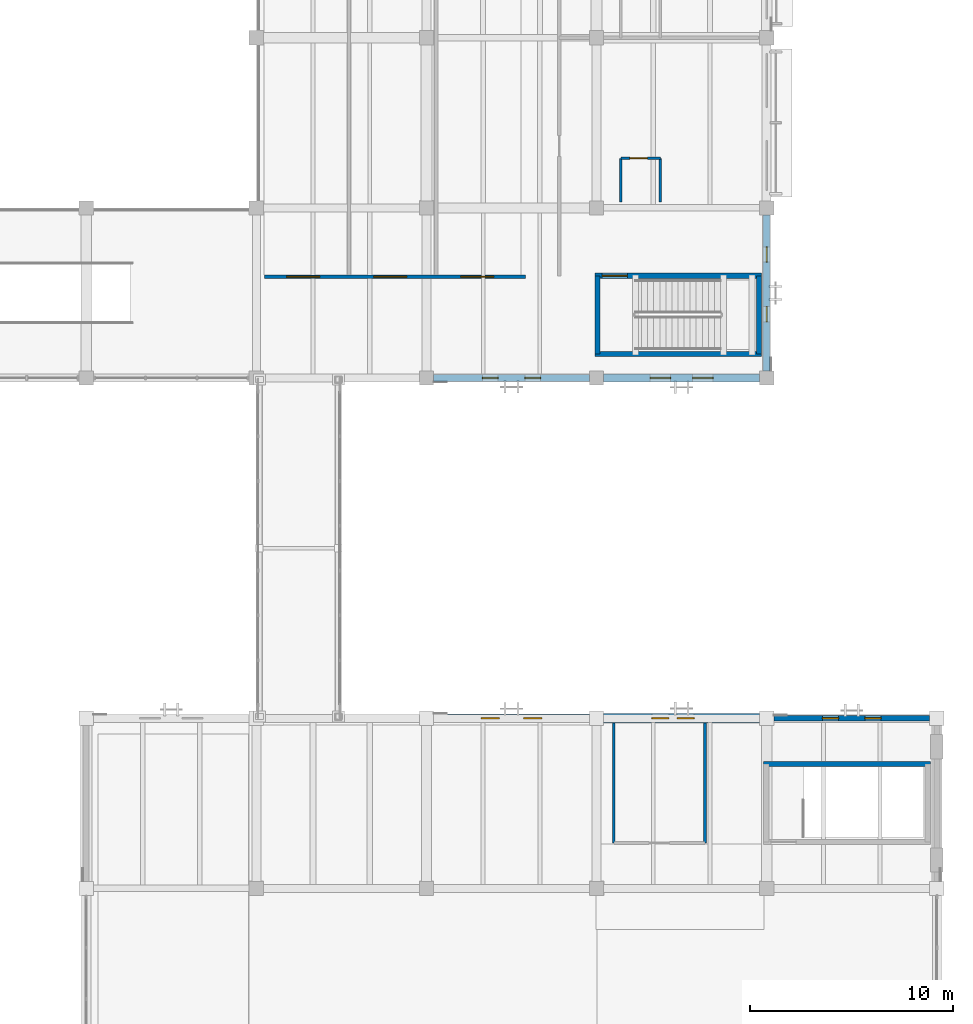
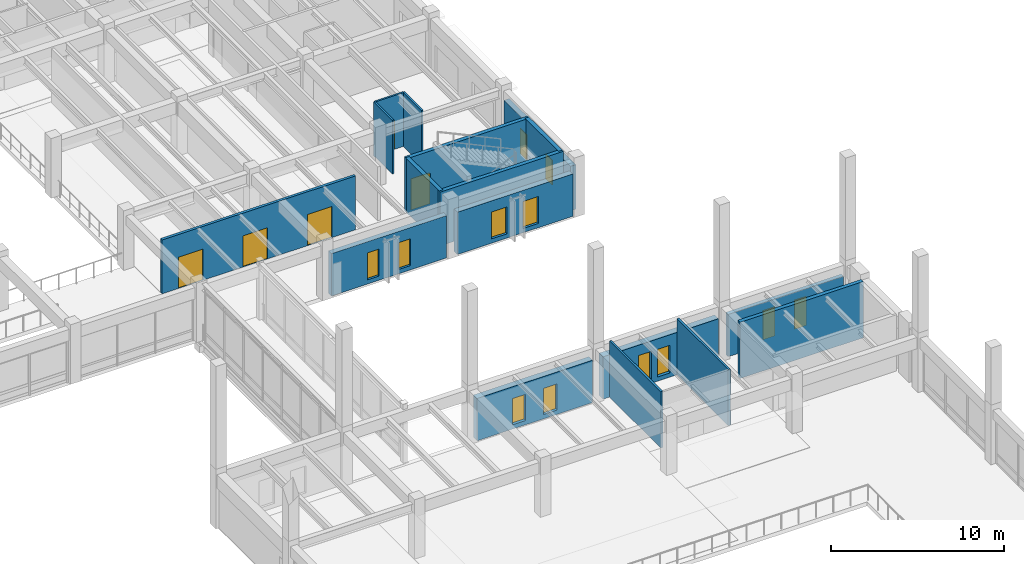
# One storey, part 95 of 132: 17 walls, 12 windows, 5 doors, 17 openings.
"""IFC4 building model written with IfcOpenShell, lengths in metres."""

import ifcopenshell
import ifcopenshell.guid

model = None  # the IFC model being written
_history = None  # IfcOwnerHistory: only IFC2X3 demands one
_inside = {}  # id of a spatial element -> (the spatial element, [elements in it])
_under = {}  # id of a project, library or spatial element -> (it, [spatial elements below it])
_declared = {}  # id of a project -> (the project, [libraries it declares])
_typed = {}  # id of a type object -> (the type object, [elements of that type])
_made_of = {}  # id of a material, layer set ... -> (it, [elements and type objects made of it])


def new_model(schema):
    """Start an empty IFC model of exactly this schema.

    Asked for "IFC4X3", IfcOpenShell would pick the latest addendum, in which some entities
    have other attributes; the version numbers below select the first issue.
    IFC2X3 requires an IfcOwnerHistory on every rooted entity: one is made here for all.
    """
    global model, _history
    if schema == "IFC4X3":
        model = ifcopenshell.file(schema_version=(4, 3, 0, 0))
    else:
        model = ifcopenshell.file(schema=schema)
    _inside.clear()
    _under.clear()
    _declared.clear()
    _typed.clear()
    _made_of.clear()
    _history = None
    if model.schema == "IFC2X3":
        org = make("IfcOrganization", Name="unknown")
        user = make(
            "IfcPersonAndOrganization",
            ThePerson=make("IfcPerson", FamilyName="unknown"),
            TheOrganization=org,
        )
        app = make(
            "IfcApplication",
            ApplicationDeveloper=org,
            Version="unknown",
            ApplicationFullName="unknown",
            ApplicationIdentifier="unknown",
        )
        _history = make(
            "IfcOwnerHistory",
            OwningUser=user,
            OwningApplication=app,
            ChangeAction="ADDED",
            CreationDate=0,
        )
    return model


def make(cls, **values):
    """One entity of the class cls with the attributes given. An attribute that is None is left unset."""
    return model.create_entity(
        cls, **{name: value for name, value in values.items() if value is not None}
    )


def rooted(cls, **values):
    """An entity with a GlobalId (a new one), such as an element, a storey or a relation."""
    return make(cls, GlobalId=ifcopenshell.guid.new(), OwnerHistory=_history, **values)


def si_unit(unit_type, name, prefix=None):
    """IfcSIUnit, for example si_unit("LENGTHUNIT", "METRE", prefix="MILLI")."""
    return make("IfcSIUnit", UnitType=unit_type, Prefix=prefix, Name=name)


def assignment(units):
    """IfcUnitAssignment: the units of a project."""
    return None if units is None else make("IfcUnitAssignment", Units=units)


def point(xyz):
    """IfcCartesianPoint."""
    return None if xyz is None else make("IfcCartesianPoint", Coordinates=xyz)


def direction(xyz):
    """IfcDirection."""
    return None if xyz is None else make("IfcDirection", DirectionRatios=xyz)


def frame(location, z_axis=None, x_axis=None):
    """IfcAxis2Placement3D, a coordinate frame: its origin and axes. An axis left out is left unset."""
    return make(
        "IfcAxis2Placement3D",
        Location=point(location),
        Axis=direction(z_axis),
        RefDirection=direction(x_axis),
    )


def frame_2d(location, x_axis=None):
    """IfcAxis2Placement2D, a coordinate frame in the plane: its origin and x axis."""
    return make(
        "IfcAxis2Placement2D", Location=point(location), RefDirection=direction(x_axis)
    )


def origin():
    """The frame at (0, 0, 0) with its axes left unset."""
    return frame((0.0, 0.0, 0.0))


def place(relative_to, where):
    """IfcLocalPlacement: puts the frame where relative to a parent placement (None: the world)."""
    return make(
        "IfcLocalPlacement", PlacementRelTo=relative_to, RelativePlacement=where
    )


def context(
    kind, dimensions, precision=None, world=None, true_north=None, identifier=None
):
    """IfcGeometricRepresentationContext, for example the 3D "Model" context."""
    return make(
        "IfcGeometricRepresentationContext",
        ContextIdentifier=identifier,
        ContextType=kind,
        CoordinateSpaceDimension=dimensions,
        Precision=precision,
        WorldCoordinateSystem=world,
        TrueNorth=true_north,
    )


def subcontext(parent, identifier, kind, view, scale=None):
    """IfcGeometricRepresentationSubContext, for example "Body" below "Model"."""
    return make(
        "IfcGeometricRepresentationSubContext",
        ContextIdentifier=identifier,
        ContextType=kind,
        ParentContext=parent,
        TargetScale=scale,
        TargetView=view,
    )


def project(units=None, contexts=None):
    """IfcProject with its units and contexts."""
    return rooted(
        "IfcProject",
        Name="project",
        RepresentationContexts=contexts,
        UnitsInContext=assignment(units),
    )


def spatial(cls, under=None, at=None, **own):
    """A site, building, storey or space (cls), placed at a placement, below another one or the project."""
    s = rooted(cls, ObjectPlacement=at, **own)
    if under is not None:
        _under.setdefault(under.id(), (under, []))[1].append(s)
    return s


def profile(cls, at=None, kind="AREA", **sizes):
    """A parametric profile (cls). Its sizes go by their IFC names, for example OverallWidth=200.0."""
    return make(cls, ProfileType=kind, Position=at, **sizes)


def rectangle(**sizes):
    """IfcRectangleProfileDef."""
    return profile("IfcRectangleProfileDef", **sizes)


def extrude(swept, where, along, depth):
    """IfcExtrudedAreaSolid: the profile swept, set in the frame where, extruded along a direction by depth."""
    return make(
        "IfcExtrudedAreaSolid",
        SweptArea=swept,
        Position=where,
        ExtrudedDirection=direction(along),
        Depth=depth,
    )


def shape(context_of_items, identifier, shape_type, items):
    """IfcShapeRepresentation: the items that make up one representation, for example the "Body"."""
    return make(
        "IfcShapeRepresentation",
        ContextOfItems=context_of_items,
        RepresentationIdentifier=identifier,
        RepresentationType=shape_type,
        Items=items,
    )


def material(Name=None, Category=None):
    """IfcMaterial."""
    return make("IfcMaterial", Name=Name, Category=Category)


def layer(
    of_material, thickness, ventilated=None, Name=None, Category=None, Priority=None
):
    """IfcMaterialLayer: one layer of a wall or slab, of a material (None: an air gap)."""
    return make(
        "IfcMaterialLayer",
        Material=of_material,
        LayerThickness=thickness,
        IsVentilated=ventilated,
        Name=Name,
        Category=Category,
        Priority=Priority,
    )


def layer_set(layers, Name=None):
    """IfcMaterialLayerSet."""
    return make("IfcMaterialLayerSet", MaterialLayers=layers, LayerSetName=Name)


def made_of(thing, what):
    """Note that an element or type object is made of a material, layer set ...; save() writes the relation."""
    if what is not None:
        _made_of.setdefault(what.id(), (what, []))[1].append(thing)
    return thing


def type_object(cls, material=None, **own):
    """A type object (cls), such as IfcWallType, which elements share."""
    return made_of(rooted(cls, **own), material)


def element(
    cls,
    number,
    at=None,
    inside=None,
    cuts=None,
    type_object=None,
    material=None,
    context=None,
    identifier="Body",
    shape_type=None,
    held_by="IfcProductDefinitionShape",
    body=None,
    shapes=None,
    **own,
):
    """One element of the class cls, such as IfcWall. Its Tag is "e" and its number.

    at: its placement. inside: the storey or other place that contains it. cuts: it is an
    opening in that element (IfcRelVoidsElement). A single representation is given by context,
    identifier, shape_type and body (its items); several are given by shapes. held_by: the class
    of the entity that holds the representations. save() writes the other relations.
    """
    e = rooted(cls, Tag="e%d" % number, ObjectPlacement=at, **own)
    if body is not None:
        shapes = [shape(context, identifier, shape_type, body)]
    if shapes is not None:
        e.Representation = make(held_by, Representations=shapes)
    if inside is not None:
        _inside.setdefault(inside.id(), (inside, []))[1].append(e)
    if cuts is not None:
        rooted(
            "IfcRelVoidsElement", RelatingBuildingElement=cuts, RelatedOpeningElement=e
        )
    if type_object is not None:
        _typed.setdefault(type_object.id(), (type_object, []))[1].append(e)
    return made_of(e, material)


def fill(opening, filler):
    """IfcRelFillsElement: the door or window that sits in an opening."""
    return rooted(
        "IfcRelFillsElement",
        RelatingOpeningElement=opening,
        RelatedBuildingElement=filler,
    )


def aggregate(whole, parts):
    """IfcRelAggregates: a whole, such as a stair, and the parts it consists of."""
    return rooted("IfcRelAggregates", RelatingObject=whole, RelatedObjects=parts)


def save(model, path):
    """Write the relations noted so far, then the file.

    IfcRelAggregates (storeys below a building ...), IfcRelContainedInSpatialStructure (elements
    in a storey), IfcRelDefinesByType, IfcRelAssociatesMaterial and IfcRelDeclares: one each for
    every whole, place, type object, material and project.
    """
    for whole, parts in _under.values():
        aggregate(whole, parts)
    for where, things in _inside.values():
        rooted(
            "IfcRelContainedInSpatialStructure",
            RelatedElements=things,
            RelatingStructure=where,
        )
    for kind, things in _typed.values():
        rooted("IfcRelDefinesByType", RelatedObjects=things, RelatingType=kind)
    for what, things in _made_of.values():
        rooted("IfcRelAssociatesMaterial", RelatedObjects=things, RelatingMaterial=what)
    for by, libraries in _declared.values():
        rooted("IfcRelDeclares", RelatingContext=by, RelatedDefinitions=libraries)
    model.write(path)


model = new_model("IFC4")

# Units and contexts
model_context = context("Model", 3, precision=1e-05, world=origin(), true_north=direction((0.0, 1.0)))
body_context = subcontext(model_context, "Body", "Model", "MODEL_VIEW")
ifc_project = project(units=[si_unit("LENGTHUNIT", "METRE"), si_unit("AREAUNIT", "SQUARE_METRE"), si_unit("VOLUMEUNIT", "CUBIC_METRE"), si_unit("PLANEANGLEUNIT", "RADIAN"), si_unit("MASSUNIT", "GRAM", prefix="KILO")], contexts=[model_context])

# Site, building, storey
site_placement = place(None, origin())
site = spatial("IfcSite", under=ifc_project, at=site_placement, CompositionType="ELEMENT")
building_placement = place(site_placement, origin())
building = spatial("IfcBuilding", under=site, at=building_placement, Name="Cumbredor Promenade Congress Hotel", CompositionType="ELEMENT")
storey_placement = place(building_placement, frame((0.0, 0.0, 7.56005859375)))
storey = spatial("IfcBuildingStorey", under=building, at=storey_placement, Name="L02", CompositionType="ELEMENT", Elevation=7.56005859375)

# Wall, opening, door
ifc_material_1 = material(Name="Moisture-resistant gypsum board on steel studs", Category="steel")
ifc_layer_1 = layer(ifc_material_1, 0.114990234375, Name="Moisture-resistant gypsum board on steel studs", Category="steel")
ifc_layer_set_1 = layer_set([ifc_layer_1], Name="Moisture-resistant gypsum board on steel studs")
wall_type_1 = type_object("IfcWallType", Name="WL-BATH-115", PredefinedType="PARTITIONING", material=ifc_layer_set_1)
wall_1_placement = place(storey_placement, frame((169.199951171875, 94.85009765625, 0.0), z_axis=(0.0, 0.0, 1.0), x_axis=(1.0, 0.0, 0.0)))
wall_1 = element("IfcWall", 1, at=wall_1_placement, inside=storey, type_object=wall_type_1, Name="L02 Interior Partition W-L02-FEBH-E0201", PredefinedType="PARTITIONING", context=body_context, shape_type="SweptSolid", body=[
    extrude(rectangle(XDim=1.949951171875, YDim=0.114990234375, at=frame_2d((0.97509765625, 0.0))), origin(), (0.0, 0.0, 1.0), 3.800048828125),
])
opening_1_placement = place(wall_1_placement, frame((0.449951171875, 0.0, 0.0)))
opening_1 = element("IfcOpeningElement", 2, at=opening_1_placement, cuts=wall_1, Name="Opening ID-01", PredefinedType="OPENING", context=body_context, shape_type="SweptSolid", body=[
    extrude(rectangle(XDim=0.860107421875, YDim=2.050048828125, at=frame_2d((0.43017578125, 1.02490234375))), frame((0.0, 0.0673828125, 0.0), z_axis=(0.0, -1.0, 0.0), x_axis=(1.0, 0.0, 0.0)), (0.0, 0.0, 1.0), 0.135009765625),
])
ifc_material_2 = material(Name="Kiln-dried tropical hardwood", Category="wood")
door_type_1 = type_object("IfcDoorType", Name="DR-BATH-860", OperationType="NOTDEFINED", PredefinedType="DOOR", material=ifc_material_2)
door_1_placement = place(opening_1_placement, origin())
door_1 = element("IfcDoor", 3, at=door_1_placement, inside=storey, type_object=door_type_1, Name="L02 Interior Door W-L02-FEBH-E0201-01", OperationType="SINGLE_SWING_RIGHT", OverallHeight=2.050048828125, OverallWidth=0.860107421875, PredefinedType="DOOR", context=body_context, shape_type="SweptSolid", body=[
    extrude(rectangle(XDim=0.860107421875, YDim=2.050048828125, at=frame_2d((0.43017578125, 1.02490234375))), frame((0.0, 0.02490234375, 0.0), z_axis=(0.0, -1.0, 0.0), x_axis=(1.0, 0.0, 0.0)), (0.0, 0.0, 1.0), 0.050048828125),
])
fill(opening_1, door_1)

# Walls
for number, where, z_axis, x_axis, name in (
    (4, (169.199951171875, 92.699951171875, 0.0), (0.0, 0.0, 1.0), (0.0, 1.0, 0.0), "L02 Interior Partition W-L02-FEBV1-E0201"),
    (5, (171.14990234375, 92.699951171875, 0.0), (0.0, 0.0, 1.0), (0.0, 1.0, 0.0), "L02 Interior Partition W-L02-FEBV2-E0201"),
):
    element("IfcWall", number, at=place(storey_placement, frame(where, z_axis=z_axis, x_axis=x_axis)), inside=storey, type_object=wall_type_1, Name=name, PredefinedType="PARTITIONING", context=body_context, shape_type="SweptSolid", body=[
        extrude(rectangle(XDim=2.150146484375, YDim=0.114990234375, at=frame_2d((1.0751953125, 0.0))), origin(), (0.0, 0.0, 1.0), 3.800048828125),
    ])

# Wall, openings, doors
ifc_material_3 = material(Name="Fire-rated hotel corridor wall")
ifc_layer_2 = layer(ifc_material_3, 0.179931640625, Name="Fire-rated hotel corridor wall")
ifc_layer_set_2 = layer_set([ifc_layer_2], Name="Fire-rated hotel corridor wall")
wall_type_2 = type_object("IfcWallType", Name="WL-CORR-180", PredefinedType="PARTITIONING", material=ifc_layer_set_2)
wall_2_placement = place(storey_placement, frame((151.60009765625, 89.0, 0.0), z_axis=(0.0, 0.0, 1.0), x_axis=(1.0, 0.0, 0.0)))
wall_2 = element("IfcWall", 6, at=wall_2_placement, inside=storey, type_object=wall_type_2, Name="L02 Interior Partition W-L02-V4-ES", PredefinedType="PARTITIONING", context=body_context, shape_type="SweptSolid", body=[
    extrude(rectangle(XDim=12.89990234375, YDim=0.179931640625, at=frame_2d((6.449951171875, 0.0))), origin(), (0.0, 0.0, 1.0), 3.800048828125),
])
opening_2_placement = place(wall_2_placement, frame((1.10009765625, 0.0, 0.0)))
opening_2 = element("IfcOpeningElement", 7, at=opening_2_placement, cuts=wall_2, Name="Opening FD-08", PredefinedType="OPENING", context=body_context, shape_type="SweptSolid", body=[
    extrude(rectangle(XDim=1.6201171875, YDim=2.199951171875, at=frame_2d((0.81005859375, 1.10009765625))), frame((0.0, 0.10009765625, 0.0), z_axis=(0.0, -1.0, 0.0), x_axis=(1.0, 0.0, 0.0)), (0.0, 0.0, 1.0), 0.199951171875),
])
opening_3_placement = place(wall_2_placement, frame((5.39990234375, 0.0, 0.0)))
opening_3 = element("IfcOpeningElement", 8, at=opening_3_placement, cuts=wall_2, Name="Opening FD-08", PredefinedType="OPENING", context=body_context, shape_type="SweptSolid", body=[
    extrude(rectangle(XDim=1.6201171875, YDim=2.199951171875, at=frame_2d((0.81005859375, 1.10009765625))), frame((0.0, 0.10009765625, 0.0), z_axis=(0.0, -1.0, 0.0), x_axis=(1.0, 0.0, 0.0)), (0.0, 0.0, 1.0), 0.199951171875),
])
opening_4_placement = place(wall_2_placement, frame((9.699951171875, 0.0, 0.0)))
opening_4 = element("IfcOpeningElement", 9, at=opening_4_placement, cuts=wall_2, Name="Opening FD-08", PredefinedType="OPENING", context=body_context, shape_type="SweptSolid", body=[
    extrude(rectangle(XDim=1.6201171875, YDim=2.199951171875, at=frame_2d((0.81005859375, 1.10009765625))), frame((0.0, 0.10009765625, 0.0), z_axis=(0.0, -1.0, 0.0), x_axis=(1.0, 0.0, 0.0)), (0.0, 0.0, 1.0), 0.199951171875),
])
ifc_material_4 = material(Name="Solid-core fire-rated tropical hardwood", Category="wood")
door_type_2 = type_object("IfcDoorType", Name="DR-DBL-FD60-1600", OperationType="DOUBLE_DOOR_SINGLE_SWING", PredefinedType="DOOR", material=ifc_material_4)
door_2_placement = place(opening_2_placement, origin())
door_2 = element("IfcDoor", 10, at=door_2_placement, inside=storey, type_object=door_type_2, Name="L02 Interior Door W-L02-V4-ES-01", OperationType="DOUBLE_DOOR_SINGLE_SWING", OverallHeight=2.199951171875, OverallWidth=1.6201171875, PredefinedType="DOOR", context=body_context, shape_type="SweptSolid", body=[
    extrude(rectangle(XDim=1.6201171875, YDim=2.199951171875, at=frame_2d((0.81005859375, 1.10009765625))), frame((0.0, 0.02490234375, 0.0), z_axis=(0.0, -1.0, 0.0), x_axis=(1.0, 0.0, 0.0)), (0.0, 0.0, 1.0), 0.050048828125),
])
fill(opening_2, door_2)
door_3_placement = place(opening_3_placement, origin())
door_3 = element("IfcDoor", 11, at=door_3_placement, inside=storey, type_object=door_type_2, Name="L02 Interior Door W-L02-V4-ES-02", OperationType="DOUBLE_DOOR_SINGLE_SWING", OverallHeight=2.199951171875, OverallWidth=1.6201171875, PredefinedType="DOOR", context=body_context, shape_type="SweptSolid", body=[
    extrude(rectangle(XDim=1.6201171875, YDim=2.199951171875, at=frame_2d((0.81005859375, 1.10009765625))), frame((0.0, 0.02490234375, 0.0), z_axis=(0.0, -1.0, 0.0), x_axis=(1.0, 0.0, 0.0)), (0.0, 0.0, 1.0), 0.050048828125),
])
fill(opening_3, door_3)
door_4_placement = place(opening_4_placement, origin())
door_4 = element("IfcDoor", 12, at=door_4_placement, inside=storey, type_object=door_type_2, Name="L02 Interior Door W-L02-V4-ES-03", OperationType="DOUBLE_DOOR_SINGLE_SWING", OverallHeight=2.199951171875, OverallWidth=1.6201171875, PredefinedType="DOOR", context=body_context, shape_type="SweptSolid", body=[
    extrude(rectangle(XDim=1.6201171875, YDim=2.199951171875, at=frame_2d((0.81005859375, 1.10009765625))), frame((0.0, 0.02490234375, 0.0), z_axis=(0.0, -1.0, 0.0), x_axis=(1.0, 0.0, 0.0)), (0.0, 0.0, 1.0), 0.050048828125),
])
fill(opening_4, door_4)

# Wall, openings, windows
ifc_material_5 = material(Name="Concrete C40/50", Category="concrete")
ifc_layer_3 = layer(ifc_material_5, 0.260009765625, Name="Concrete C40/50", Category="concrete")
ifc_layer_set_3 = layer_set([ifc_layer_3], Name="Concrete C40/50")
wall_type_3 = type_object("IfcWallType", Name="WL-EXT-260", PredefinedType="SOLIDWALL", material=ifc_layer_set_3)
wall_3_placement = place(storey_placement, frame((176.7509765625, 67.199951171875, 0.0), z_axis=(0.0, 0.0, 1.0), x_axis=(1.0, 0.0, 0.0)))
wall_3 = element("IfcWall", 13, at=wall_3_placement, inside=storey, type_object=wall_type_3, Name="L02 Grand Ballroom Pavilion North Envelope Wall 5", PredefinedType="SOLIDWALL", context=body_context, shape_type="SweptSolid", body=[
    extrude(rectangle(XDim=7.697998046875, YDim=0.260009765625, at=frame_2d((3.84912109375, 0.0))), origin(), (0.0, 0.0, 1.0), 2.98486328125),
])
opening_5_placement = place(wall_3_placement, frame((2.39892578125, 0.0, 0.300048828125)))
opening_5 = element("IfcOpeningElement", 14, at=opening_5_placement, cuts=wall_3, Name="Opening WN-54", PredefinedType="OPENING", context=body_context, shape_type="SweptSolid", body=[
    extrude(rectangle(XDim=0.800048828125, YDim=2.050048828125, at=frame_2d((0.39990234375, 1.02490234375))), frame((0.0, 0.14013671875, 0.0), z_axis=(0.0, -1.0, 0.0), x_axis=(1.0, 0.0, 0.0)), (0.0, 0.0, 1.0), 0.280029296875),
])
opening_6_placement = place(wall_3_placement, frame((4.4990234375, 0.0, 0.300048828125)))
opening_6 = element("IfcOpeningElement", 15, at=opening_6_placement, cuts=wall_3, Name="Opening WN-54", PredefinedType="OPENING", context=body_context, shape_type="SweptSolid", body=[
    extrude(rectangle(XDim=0.800048828125, YDim=2.050048828125, at=frame_2d((0.39990234375, 1.02490234375))), frame((0.0, 0.14013671875, 0.0), z_axis=(0.0, -1.0, 0.0), x_axis=(1.0, 0.0, 0.0)), (0.0, 0.0, 1.0), 0.280029296875),
])
ifc_material_6 = material(Name="Thermally broken anodized aluminium and low-E glass", Category="aluminium")
window_type_1 = type_object("IfcWindowType", Name="Vertical Slot Window WN-54 800x2050", PartitioningType="SINGLE_PANEL", PredefinedType="WINDOW", material=ifc_material_6)
window_1_placement = place(opening_5_placement, origin())
window_1 = element("IfcWindow", 16, at=window_1_placement, inside=storey, type_object=window_type_1, Name="L02 Vertical Slot Window 0254", OverallHeight=2.050048828125, OverallWidth=0.800048828125, PartitioningType="SINGLE_PANEL", PredefinedType="WINDOW", context=body_context, shape_type="SweptSolid", body=[
    extrude(rectangle(XDim=0.800048828125, YDim=2.050048828125, at=frame_2d((0.39990234375, 1.02490234375))), frame((0.0, 0.030029296875, 0.0), z_axis=(0.0, -1.0, 0.0), x_axis=(1.0, 0.0, 0.0)), (0.0, 0.0, 1.0), 0.06005859375),
])
fill(opening_5, window_1)
window_2_placement = place(opening_6_placement, origin())
window_2 = element("IfcWindow", 17, at=window_2_placement, inside=storey, type_object=window_type_1, Name="L02 Vertical Slot Window 0255", OverallHeight=2.050048828125, OverallWidth=0.800048828125, PartitioningType="SINGLE_PANEL", PredefinedType="WINDOW", context=body_context, shape_type="SweptSolid", body=[
    extrude(rectangle(XDim=0.800048828125, YDim=2.050048828125, at=frame_2d((0.39990234375, 1.02490234375))), frame((0.0, 0.030029296875, 0.0), z_axis=(0.0, -1.0, 0.0), x_axis=(1.0, 0.0, 0.0)), (0.0, 0.0, 1.0), 0.06005859375),
])
fill(opening_6, window_2)

ifc_layer_4 = layer(ifc_material_5, 0.35009765625, Name="Concrete C40/50", Category="concrete")
ifc_layer_set_4 = layer_set([ifc_layer_4], Name="Concrete C40/50")
wall_type_4 = type_object("IfcWallType", Name="WL-EXT-350", PredefinedType="SOLIDWALL", material=ifc_layer_set_4)
wall_4_placement = place(storey_placement, frame((159.950927734375, 84.0, 0.0), z_axis=(0.0, 0.0, 1.0), x_axis=(1.0, 0.0, 0.0)))
wall_4 = element("IfcWall", 18, at=wall_4_placement, inside=storey, type_object=wall_type_4, Name="L02 Pre-Function and Breakout Meeting Forum South Envelope Wall 9", PredefinedType="SOLIDWALL", context=body_context, shape_type="SweptSolid", body=[
    extrude(rectangle(XDim=7.697998046875, YDim=0.35009765625, at=frame_2d((3.84912109375, 0.0))), origin(), (0.0, 0.0, 1.0), 2.98486328125),
])
opening_7_placement = place(wall_4_placement, frame((2.4140625, 0.0, 0.300048828125)))
opening_7 = element("IfcOpeningElement", 19, at=opening_7_placement, cuts=wall_4, Name="Opening WN-66", PredefinedType="OPENING", context=body_context, shape_type="SweptSolid", body=[
    extrude(rectangle(XDim=0.77001953125, YDim=1.89990234375, at=frame_2d((0.385009765625, 0.949951171875))), frame((0.0, 0.18505859375, 0.0), z_axis=(0.0, -1.0, 0.0), x_axis=(1.0, 0.0, 0.0)), (0.0, 0.0, 1.0), 0.3701171875),
])
opening_8_placement = place(wall_4_placement, frame((4.513916015625, 0.0, 0.300048828125)))
opening_8 = element("IfcOpeningElement", 20, at=opening_8_placement, cuts=wall_4, Name="Opening WN-66", PredefinedType="OPENING", context=body_context, shape_type="SweptSolid", body=[
    extrude(rectangle(XDim=0.77001953125, YDim=1.89990234375, at=frame_2d((0.385009765625, 0.949951171875))), frame((0.0, 0.18505859375, 0.0), z_axis=(0.0, -1.0, 0.0), x_axis=(1.0, 0.0, 0.0)), (0.0, 0.0, 1.0), 0.3701171875),
])
window_type_2 = type_object("IfcWindowType", Name="Vertical Slot Window WN-66 770x1900", PartitioningType="SINGLE_PANEL", PredefinedType="WINDOW", material=ifc_material_6)
window_3_placement = place(opening_7_placement, origin())
window_3 = element("IfcWindow", 21, at=window_3_placement, inside=storey, type_object=window_type_2, Name="L02 Vertical Slot Window 0262", OverallHeight=1.89990234375, OverallWidth=0.77001953125, PartitioningType="SINGLE_PANEL", PredefinedType="WINDOW", context=body_context, shape_type="SweptSolid", body=[
    extrude(rectangle(XDim=0.77001953125, YDim=1.89990234375, at=frame_2d((0.385009765625, 0.949951171875))), frame((0.0, 0.030029296875, 0.0), z_axis=(0.0, -1.0, 0.0), x_axis=(1.0, 0.0, 0.0)), (0.0, 0.0, 1.0), 0.06005859375),
])
fill(opening_7, window_3)
window_4_placement = place(opening_8_placement, origin())
window_4 = element("IfcWindow", 22, at=window_4_placement, inside=storey, type_object=window_type_2, Name="L02 Vertical Slot Window 0263", OverallHeight=1.89990234375, OverallWidth=0.77001953125, PartitioningType="SINGLE_PANEL", PredefinedType="WINDOW", context=body_context, shape_type="SweptSolid", body=[
    extrude(rectangle(XDim=0.77001953125, YDim=1.89990234375, at=frame_2d((0.385009765625, 0.949951171875))), frame((0.0, 0.030029296875, 0.0), z_axis=(0.0, -1.0, 0.0), x_axis=(1.0, 0.0, 0.0)), (0.0, 0.0, 1.0), 0.06005859375),
])
fill(opening_8, window_4)

wall_5_placement = place(storey_placement, frame((176.39990234375, 84.35107421875, 0.0), z_axis=(0.0, 0.0, 1.0), x_axis=(0.0, 1.0, 0.0)))
wall_5 = element("IfcWall", 23, at=wall_5_placement, inside=storey, type_object=wall_type_4, Name="L02 Pre-Function and Breakout Meeting Forum East Envelope Wall 1", PredefinedType="SOLIDWALL", context=body_context, shape_type="SweptSolid", body=[
    extrude(rectangle(XDim=7.697998046875, YDim=0.35009765625, at=frame_2d((3.84912109375, 0.0))), origin(), (0.0, 0.0, 1.0), 3.135009765625),
])
opening_9_placement = place(wall_5_placement, frame((2.4189453125, 0.0, 0.300048828125)))
opening_9 = element("IfcOpeningElement", 24, at=opening_9_placement, cuts=wall_5, Name="Opening WN-61", PredefinedType="OPENING", context=body_context, shape_type="SweptSolid", body=[
    extrude(rectangle(XDim=0.760009765625, YDim=1.75, at=frame_2d((0.3798828125, 0.875))), frame((0.0, 0.18505859375, 0.0), z_axis=(0.0, -1.0, 0.0), x_axis=(1.0, 0.0, 0.0)), (0.0, 0.0, 1.0), 0.3701171875),
])
opening_10_placement = place(wall_5_placement, frame((5.368896484375, 0.0, 0.300048828125)))
opening_10 = element("IfcOpeningElement", 25, at=opening_10_placement, cuts=wall_5, Name="Opening WN-61", PredefinedType="OPENING", context=body_context, shape_type="SweptSolid", body=[
    extrude(rectangle(XDim=0.760009765625, YDim=1.75, at=frame_2d((0.3798828125, 0.875))), frame((0.0, 0.18505859375, 0.0), z_axis=(0.0, -1.0, 0.0), x_axis=(1.0, 0.0, 0.0)), (0.0, 0.0, 1.0), 0.3701171875),
])
window_type_3 = type_object("IfcWindowType", Name="Vertical Slot Window WN-61 760x1750", PartitioningType="SINGLE_PANEL", PredefinedType="WINDOW", material=ifc_material_6)
window_5_placement = place(opening_9_placement, origin())
window_5 = element("IfcWindow", 26, at=window_5_placement, inside=storey, type_object=window_type_3, Name="L02 Vertical Slot Window 0290", OverallHeight=1.75, OverallWidth=0.760009765625, PartitioningType="SINGLE_PANEL", PredefinedType="WINDOW", context=body_context, shape_type="SweptSolid", body=[
    extrude(rectangle(XDim=0.760009765625, YDim=1.75, at=frame_2d((0.3798828125, 0.875))), frame((0.0, 0.030029296875, 0.0), z_axis=(0.0, -1.0, 0.0), x_axis=(1.0, 0.0, 0.0)), (0.0, 0.0, 1.0), 0.06005859375),
])
fill(opening_9, window_5)
window_6_placement = place(opening_10_placement, origin())
window_6 = element("IfcWindow", 27, at=window_6_placement, inside=storey, type_object=window_type_3, Name="L02 Vertical Slot Window 0291", OverallHeight=1.75, OverallWidth=0.760009765625, PartitioningType="SINGLE_PANEL", PredefinedType="WINDOW", context=body_context, shape_type="SweptSolid", body=[
    extrude(rectangle(XDim=0.760009765625, YDim=1.75, at=frame_2d((0.3798828125, 0.875))), frame((0.0, 0.030029296875, 0.0), z_axis=(0.0, -1.0, 0.0), x_axis=(1.0, 0.0, 0.0)), (0.0, 0.0, 1.0), 0.06005859375),
])
fill(opening_10, window_6)

ifc_layer_5 = layer(ifc_material_5, 0.3798828125, Name="Concrete C40/50", Category="concrete")
ifc_layer_set_5 = layer_set([ifc_layer_5], Name="Concrete C40/50")
wall_type_5 = type_object("IfcWallType", Name="WL-EXT-380", PredefinedType="SOLIDWALL", material=ifc_layer_set_5)
wall_6_placement = place(storey_placement, frame((168.35107421875, 84.0, 0.0), z_axis=(0.0, 0.0, 1.0), x_axis=(1.0, 0.0, 0.0)))
wall_6 = element("IfcWall", 28, at=wall_6_placement, inside=storey, type_object=wall_type_5, Name="L02 Pre-Function and Breakout Meeting Forum South Envelope Wall 10", PredefinedType="SOLIDWALL", context=body_context, shape_type="SweptSolid", body=[
    extrude(rectangle(XDim=7.697998046875, YDim=0.3798828125, at=frame_2d((3.84912109375, 0.0))), origin(), (0.0, 0.0, 1.0), 2.98486328125),
])
opening_11_placement = place(wall_6_placement, frame((2.2890625, 0.0, 0.300048828125)))
opening_11 = element("IfcOpeningElement", 29, at=opening_11_placement, cuts=wall_6, Name="Opening WN-69", PredefinedType="OPENING", context=body_context, shape_type="SweptSolid", body=[
    extrude(rectangle(XDim=1.02001953125, YDim=1.89990234375, at=frame_2d((0.510009765625, 0.949951171875))), frame((0.0, 0.199951171875, 0.0), z_axis=(0.0, -1.0, 0.0), x_axis=(1.0, 0.0, 0.0)), (0.0, 0.0, 1.0), 0.39990234375),
])
opening_12_placement = place(wall_6_placement, frame((4.388916015625, 0.0, 0.300048828125)))
opening_12 = element("IfcOpeningElement", 30, at=opening_12_placement, cuts=wall_6, Name="Opening WN-69", PredefinedType="OPENING", context=body_context, shape_type="SweptSolid", body=[
    extrude(rectangle(XDim=1.02001953125, YDim=1.89990234375, at=frame_2d((0.510009765625, 0.949951171875))), frame((0.0, 0.199951171875, 0.0), z_axis=(0.0, -1.0, 0.0), x_axis=(1.0, 0.0, 0.0)), (0.0, 0.0, 1.0), 0.39990234375),
])
window_type_4 = type_object("IfcWindowType", Name="Vertical Slot Window WN-69 1020x1900", PartitioningType="SINGLE_PANEL", PredefinedType="WINDOW", material=ifc_material_6)
window_7_placement = place(opening_11_placement, origin())
window_7 = element("IfcWindow", 31, at=window_7_placement, inside=storey, type_object=window_type_4, Name="L02 Vertical Slot Window 0264", OverallHeight=1.89990234375, OverallWidth=1.02001953125, PartitioningType="SINGLE_PANEL", PredefinedType="WINDOW", context=body_context, shape_type="SweptSolid", body=[
    extrude(rectangle(XDim=1.02001953125, YDim=1.89990234375, at=frame_2d((0.510009765625, 0.949951171875))), frame((0.0, 0.030029296875, 0.0), z_axis=(0.0, -1.0, 0.0), x_axis=(1.0, 0.0, 0.0)), (0.0, 0.0, 1.0), 0.06005859375),
])
fill(opening_11, window_7)
window_8_placement = place(opening_12_placement, origin())
window_8 = element("IfcWindow", 32, at=window_8_placement, inside=storey, type_object=window_type_4, Name="L02 Vertical Slot Window 0265", OverallHeight=1.89990234375, OverallWidth=1.02001953125, PartitioningType="SINGLE_PANEL", PredefinedType="WINDOW", context=body_context, shape_type="SweptSolid", body=[
    extrude(rectangle(XDim=1.02001953125, YDim=1.89990234375, at=frame_2d((0.510009765625, 0.949951171875))), frame((0.0, 0.030029296875, 0.0), z_axis=(0.0, -1.0, 0.0), x_axis=(1.0, 0.0, 0.0)), (0.0, 0.0, 1.0), 0.06005859375),
])
fill(opening_12, window_8)

ifc_layer_6 = layer(ifc_material_5, 0.425048828125, Name="Concrete C40/50", Category="concrete")
ifc_layer_set_6 = layer_set([ifc_layer_6], Name="Concrete C40/50")
wall_type_6 = type_object("IfcWallType", Name="WL-EXT-425", PredefinedType="SOLIDWALL", material=ifc_layer_set_6)
wall_7_placement = place(storey_placement, frame((159.950927734375, 67.199951171875, 0.0), z_axis=(0.0, 0.0, 1.0), x_axis=(1.0, 0.0, 0.0)))
wall_7 = element("IfcWall", 33, at=wall_7_placement, inside=storey, type_object=wall_type_6, Name="L02 Grand Ballroom Pavilion North Envelope Wall 3", PredefinedType="SOLIDWALL", context=body_context, shape_type="SweptSolid", body=[
    extrude(rectangle(XDim=7.697998046875, YDim=0.425048828125, at=frame_2d((3.84912109375, 0.0))), origin(), (0.0, 0.0, 1.0), 2.98486328125),
])
opening_13_placement = place(wall_7_placement, frame((2.34912109375, 0.0, 0.300048828125)))
opening_13 = element("IfcOpeningElement", 34, at=opening_13_placement, cuts=wall_7, Name="Opening WN-48", PredefinedType="OPENING", context=body_context, shape_type="SweptSolid", body=[
    extrude(rectangle(XDim=0.89990234375, YDim=1.85009765625, at=frame_2d((0.449951171875, 0.925048828125))), frame((0.0, 0.22265625, 0.0), z_axis=(0.0, -1.0, 0.0), x_axis=(1.0, 0.0, 0.0)), (0.0, 0.0, 1.0), 0.445068359375),
])
opening_14_placement = place(wall_7_placement, frame((4.448974609375, 0.0, 0.300048828125)))
opening_14 = element("IfcOpeningElement", 35, at=opening_14_placement, cuts=wall_7, Name="Opening WN-48", PredefinedType="OPENING", context=body_context, shape_type="SweptSolid", body=[
    extrude(rectangle(XDim=0.89990234375, YDim=1.85009765625, at=frame_2d((0.449951171875, 0.925048828125))), frame((0.0, 0.22265625, 0.0), z_axis=(0.0, -1.0, 0.0), x_axis=(1.0, 0.0, 0.0)), (0.0, 0.0, 1.0), 0.445068359375),
])
window_type_5 = type_object("IfcWindowType", Name="Vertical Slot Window WN-48 900x1850", PartitioningType="SINGLE_PANEL", PredefinedType="WINDOW", material=ifc_material_6)
window_9_placement = place(opening_13_placement, origin())
window_9 = element("IfcWindow", 36, at=window_9_placement, inside=storey, type_object=window_type_5, Name="L02 Vertical Slot Window 0250", OverallHeight=1.85009765625, OverallWidth=0.89990234375, PartitioningType="SINGLE_PANEL", PredefinedType="WINDOW", context=body_context, shape_type="SweptSolid", body=[
    extrude(rectangle(XDim=0.89990234375, YDim=1.85009765625, at=frame_2d((0.449951171875, 0.925048828125))), frame((0.0, 0.030029296875, 0.0), z_axis=(0.0, -1.0, 0.0), x_axis=(1.0, 0.0, 0.0)), (0.0, 0.0, 1.0), 0.06005859375),
])
fill(opening_13, window_9)
window_10_placement = place(opening_14_placement, origin())
window_10 = element("IfcWindow", 37, at=window_10_placement, inside=storey, type_object=window_type_5, Name="L02 Vertical Slot Window 0251", OverallHeight=1.85009765625, OverallWidth=0.89990234375, PartitioningType="SINGLE_PANEL", PredefinedType="WINDOW", context=body_context, shape_type="SweptSolid", body=[
    extrude(rectangle(XDim=0.89990234375, YDim=1.85009765625, at=frame_2d((0.449951171875, 0.925048828125))), frame((0.0, 0.030029296875, 0.0), z_axis=(0.0, -1.0, 0.0), x_axis=(1.0, 0.0, 0.0)), (0.0, 0.0, 1.0), 0.06005859375),
])
fill(opening_14, window_10)

ifc_layer_7 = layer(ifc_material_5, 0.449951171875, Name="Concrete C40/50", Category="concrete")
ifc_layer_set_7 = layer_set([ifc_layer_7], Name="Concrete C40/50")
wall_type_7 = type_object("IfcWallType", Name="WL-EXT-450", PredefinedType="SOLIDWALL", material=ifc_layer_set_7)
wall_8_placement = place(storey_placement, frame((168.35107421875, 67.199951171875, 0.0), z_axis=(0.0, 0.0, 1.0), x_axis=(1.0, 0.0, 0.0)))
wall_8 = element("IfcWall", 38, at=wall_8_placement, inside=storey, type_object=wall_type_7, Name="L02 Grand Ballroom Pavilion North Envelope Wall 4", PredefinedType="SOLIDWALL", context=body_context, shape_type="SweptSolid", body=[
    extrude(rectangle(XDim=7.697998046875, YDim=0.449951171875, at=frame_2d((3.84912109375, 0.0))), origin(), (0.0, 0.0, 1.0), 2.98486328125),
])
opening_15_placement = place(wall_8_placement, frame((2.37890625, 0.0, 0.300048828125)))
opening_15 = element("IfcOpeningElement", 39, at=opening_15_placement, cuts=wall_8, Name="Opening WN-51", PredefinedType="OPENING", context=body_context, shape_type="SweptSolid", body=[
    extrude(rectangle(XDim=0.840087890625, YDim=1.949951171875, at=frame_2d((0.419921875, 0.97509765625))), frame((0.0, 0.23486328125, 0.0), z_axis=(0.0, -1.0, 0.0), x_axis=(1.0, 0.0, 0.0)), (0.0, 0.0, 1.0), 0.469970703125),
])
opening_16_placement = place(wall_8_placement, frame((3.62890625, 0.0, 0.300048828125)))
opening_16 = element("IfcOpeningElement", 40, at=opening_16_placement, cuts=wall_8, Name="Opening WN-51", PredefinedType="OPENING", context=body_context, shape_type="SweptSolid", body=[
    extrude(rectangle(XDim=0.840087890625, YDim=1.949951171875, at=frame_2d((0.419921875, 0.97509765625))), frame((0.0, 0.23486328125, 0.0), z_axis=(0.0, -1.0, 0.0), x_axis=(1.0, 0.0, 0.0)), (0.0, 0.0, 1.0), 0.469970703125),
])
window_type_6 = type_object("IfcWindowType", Name="Vertical Slot Window WN-51 840x1950", PartitioningType="SINGLE_PANEL", PredefinedType="WINDOW", material=ifc_material_6)
window_11_placement = place(opening_15_placement, origin())
window_11 = element("IfcWindow", 41, at=window_11_placement, inside=storey, type_object=window_type_6, Name="L02 Vertical Slot Window 0252", OverallHeight=1.949951171875, OverallWidth=0.840087890625, PartitioningType="SINGLE_PANEL", PredefinedType="WINDOW", context=body_context, shape_type="SweptSolid", body=[
    extrude(rectangle(XDim=0.840087890625, YDim=1.949951171875, at=frame_2d((0.419921875, 0.97509765625))), frame((0.0, 0.030029296875, 0.0), z_axis=(0.0, -1.0, 0.0), x_axis=(1.0, 0.0, 0.0)), (0.0, 0.0, 1.0), 0.06005859375),
])
fill(opening_15, window_11)
window_12_placement = place(opening_16_placement, origin())
window_12 = element("IfcWindow", 42, at=window_12_placement, inside=storey, type_object=window_type_6, Name="L02 Vertical Slot Window 0253", OverallHeight=1.949951171875, OverallWidth=0.840087890625, PartitioningType="SINGLE_PANEL", PredefinedType="WINDOW", context=body_context, shape_type="SweptSolid", body=[
    extrude(rectangle(XDim=0.840087890625, YDim=1.949951171875, at=frame_2d((0.419921875, 0.97509765625))), frame((0.0, 0.030029296875, 0.0), z_axis=(0.0, -1.0, 0.0), x_axis=(1.0, 0.0, 0.0)), (0.0, 0.0, 1.0), 0.06005859375),
])
fill(opening_16, window_12)

# Walls
ifc_material_7 = material(Name="Acoustic gypsum partition on steel studs", Category="steel")
ifc_layer_8 = layer(ifc_material_7, 0.139892578125, Name="Acoustic gypsum partition on steel studs", Category="steel")
ifc_layer_set_8 = layer_set([ifc_layer_8], Name="Acoustic gypsum partition on steel studs")
wall_type_8 = type_object("IfcWallType", Name="WL-PART-140", PredefinedType="PARTITIONING", material=ifc_layer_set_8)
for number, where, z_axis, x_axis, name in (
    (43, (168.85009765625, 61.050048828125, 0.0), (0.0, 0.0, 1.0), (0.0, 1.0, 0.0), "L02 Interior Partition W-L02-V2-WC-W"),
    (44, (173.35009765625, 61.050048828125, 0.0), (0.0, 0.0, 1.0), (0.0, 1.0, 0.0), "L02 Interior Partition W-L02-V2-WC-E"),
):
    element("IfcWall", number, at=place(storey_placement, frame(where, z_axis=z_axis, x_axis=x_axis)), inside=storey, type_object=wall_type_8, Name=name, PredefinedType="PARTITIONING", context=body_context, shape_type="SweptSolid", body=[
        extrude(rectangle(XDim=5.925048828125, YDim=0.139892578125, at=frame_2d((2.96240234375, 0.0))), origin(), (0.0, 0.0, 1.0), 3.96484375),
    ])
ifc_layer_9 = layer(ifc_material_5, 0.2548828125, Name="Concrete C40/50", Category="concrete")
ifc_layer_set_9 = layer_set([ifc_layer_9], Name="Concrete C40/50")
wall_type_9 = type_object("IfcWallType", Name="WL-SHAFT-250", PredefinedType="SOLIDWALL", material=ifc_layer_set_9)
wall_9_placement = place(storey_placement, frame((176.25244140625, 64.949951171875, 0.0), z_axis=(0.0, 0.0, 1.0), x_axis=(1.0, 0.0, 0.0)))
element("IfcWall", 45, at=wall_9_placement, inside=storey, type_object=wall_type_9, Name="STAIR-ST-10-L02 Shaft Wall North", PredefinedType="SOLIDWALL", context=body_context, shape_type="SweptSolid", body=[
    extrude(rectangle(XDim=8.22509765625, YDim=0.2548828125, at=frame_2d((4.112548828125, 0.0))), origin(), (0.0, 0.0, 1.0), 3.96484375),
])
wall_10_placement = place(storey_placement, frame((167.922607421875, 85.179931640625, 0.0), z_axis=(0.0, 0.0, 1.0), x_axis=(1.0, 0.0, 0.0)))
element("IfcWall", 46, at=wall_10_placement, inside=storey, type_object=wall_type_9, Name="STAIR-ST-14-L02 Shaft Wall South", PredefinedType="SOLIDWALL", context=body_context, shape_type="SweptSolid", body=[
    extrude(rectangle(XDim=8.224853515625, YDim=0.2548828125, at=frame_2d((4.1123046875, 0.0))), origin(), (0.0, 0.0, 1.0), 3.800048828125),
])

# Wall, opening, door
wall_11_placement = place(storey_placement, frame((167.922607421875, 89.050048828125, 0.0), z_axis=(0.0, 0.0, 1.0), x_axis=(1.0, 0.0, 0.0)))
wall_11 = element("IfcWall", 47, at=wall_11_placement, inside=storey, type_object=wall_type_9, Name="STAIR-ST-14-L02 Shaft Wall North", PredefinedType="SOLIDWALL", context=body_context, shape_type="SweptSolid", body=[
    extrude(rectangle(XDim=8.224853515625, YDim=0.2548828125, at=frame_2d((4.1123046875, 0.0))), origin(), (0.0, 0.0, 1.0), 3.800048828125),
])
opening_17_placement = place(wall_11_placement, frame((0.35009765625, 0.0, 0.0)))
opening_17 = element("IfcOpeningElement", 48, at=opening_17_placement, cuts=wall_11, Name="Opening SD-02", PredefinedType="OPENING", context=body_context, shape_type="SweptSolid", body=[
    extrude(rectangle(XDim=1.25, YDim=2.199951171875, at=frame_2d((0.625, 1.10009765625))), frame((0.0, 0.137451171875, 0.0), z_axis=(0.0, -1.0, 0.0), x_axis=(1.0, 0.0, 0.0)), (0.0, 0.0, 1.0), 0.27490234375),
])
ifc_material_8 = material(Name="Painted galvanized steel fire door", Category="steel")
door_type_3 = type_object("IfcDoorType", Name="DR-STAIR-FD90-1250", OperationType="NOTDEFINED", PredefinedType="DOOR", material=ifc_material_8)
door_5_placement = place(opening_17_placement, origin())
door_5 = element("IfcDoor", 49, at=door_5_placement, inside=storey, type_object=door_type_3, Name="L02 Protected Exit Stair ST-14 Door", OperationType="SINGLE_SWING_RIGHT", OverallHeight=2.199951171875, OverallWidth=1.25, PredefinedType="DOOR", context=body_context, shape_type="SweptSolid", body=[
    extrude(rectangle(XDim=1.25, YDim=2.199951171875, at=frame_2d((0.625, 1.10009765625))), frame((0.0, 0.02490234375, 0.0), z_axis=(0.0, -1.0, 0.0), x_axis=(1.0, 0.0, 0.0)), (0.0, 0.0, 1.0), 0.050048828125),
])
fill(opening_17, door_5)

# Walls
for number, where, z_axis, x_axis, name in (
    (50, (168.050048828125, 85.179931640625, 0.0), (0.0, 0.0, 1.0), (0.0, 1.0, 0.0), "STAIR-ST-14-L02 Shaft Wall West"),
    (51, (176.02001953125, 85.179931640625, 0.0), (0.0, 0.0, 1.0), (0.0, 1.0, 0.0), "STAIR-ST-14-L02 Shaft Wall East"),
):
    element("IfcWall", number, at=place(storey_placement, frame(where, z_axis=z_axis, x_axis=x_axis)), inside=storey, type_object=wall_type_9, Name=name, PredefinedType="SOLIDWALL", context=body_context, shape_type="SweptSolid", body=[
        extrude(rectangle(XDim=3.8701171875, YDim=0.2548828125, at=frame_2d((1.93505859375, 0.0))), origin(), (0.0, 0.0, 1.0), 3.800048828125),
    ])

save(model, "model.ifc")
